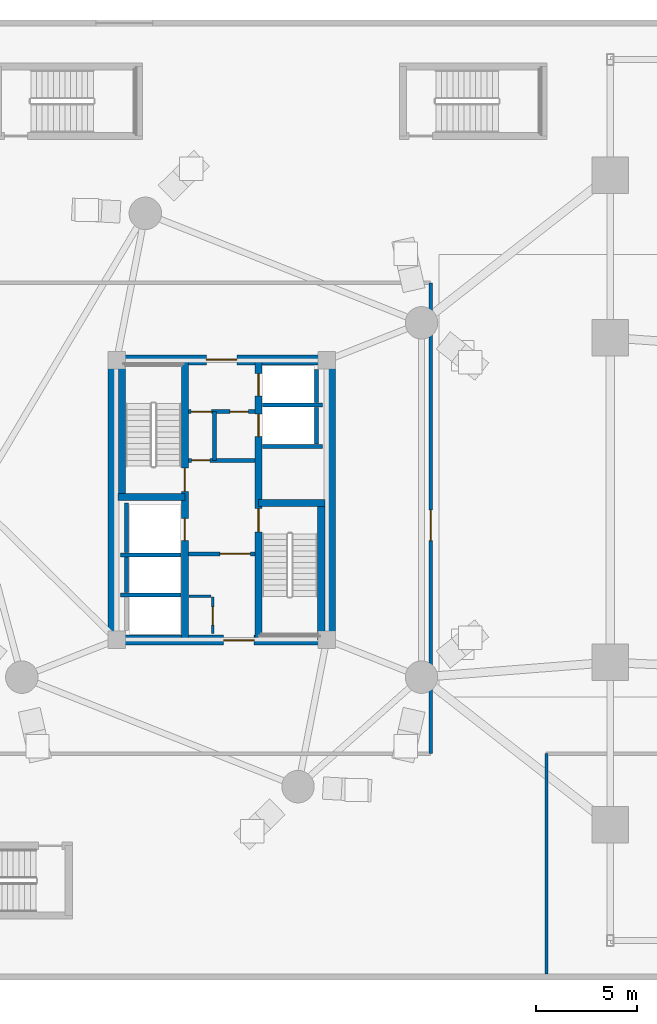
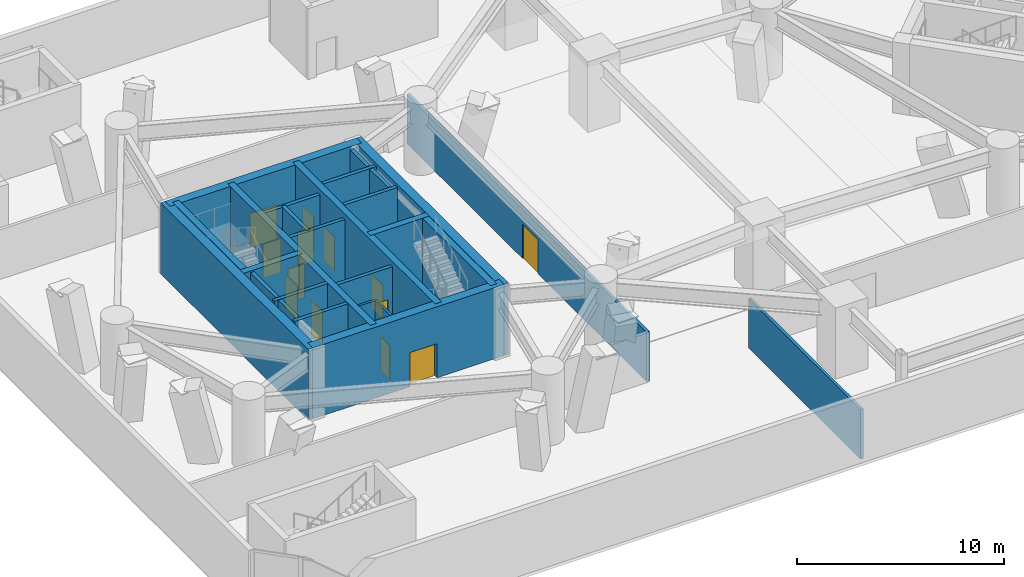
# One storey, part 11 of 20: 26 walls, 13 doors, 13 openings.
"""IFC4 building model written with IfcOpenShell, lengths in metres."""

from ifc_helpers import new_model, si_unit, direction, frame, frame_2d, origin, place, context, subcontext, project, spatial, rectangle, extrude, source, transform, mapped, material, layer, layer_set, type_object, element, fill, save


model = new_model("IFC4")

# Units and contexts
model_context = context("Model", 3, precision=1e-05, world=origin(), true_north=direction((0.0, 1.0)))
body_context = subcontext(model_context, "Body", "Model", "MODEL_VIEW")
ifc_project = project(units=[si_unit("LENGTHUNIT", "METRE"), si_unit("AREAUNIT", "SQUARE_METRE"), si_unit("VOLUMEUNIT", "CUBIC_METRE"), si_unit("PLANEANGLEUNIT", "RADIAN"), si_unit("MASSUNIT", "GRAM", prefix="KILO")], contexts=[model_context])

# Site, building, storey
site_placement = place(None, origin())
site = spatial("IfcSite", under=ifc_project, at=site_placement, CompositionType="ELEMENT")
building_placement = place(site_placement, origin())
building = spatial("IfcBuilding", under=site, at=building_placement, Name="Cununo Teusaquillo Station Towers", CompositionType="ELEMENT")
storey_placement = place(building_placement, frame((0.0, 0.0, 9.0)))
storey = spatial("IfcBuildingStorey", under=building, at=storey_placement, Name="L02", CompositionType="ELEMENT", Elevation=9.0)

# Walls
ifc_material_1 = material(Name="Concrete C50/60", Category="concrete")
ifc_layer_1 = layer(ifc_material_1, 0.199951171875)
ifc_layer_set_1 = layer_set([ifc_layer_1], Name="Concrete C50/60")
wall_type_1 = type_object("IfcWallType", Name="WL-CORE-200", PredefinedType="SHEAR", material=ifc_layer_set_1)
wall_1_placement = place(storey_placement, frame((11.52001953125, 21.800048828125, 0.0), z_axis=(0.0, 0.0, 1.0), x_axis=(1.0, 0.0, 0.0)))
element("IfcWall", 1, at=wall_1_placement, inside=storey, type_object=wall_type_1, Name="L02 Tower A Firefighting Lift Shaft South Shear Wall", PredefinedType="SHEAR", context=body_context, shape_type="SweptSolid", body=[
    extrude(rectangle(XDim=2.969970703125, YDim=0.199951171875, at=frame_2d((1.48486328125, 0.0))), origin(), (0.0, 0.0, 1.0), 4.199951171875),
])
wall_2_placement = place(storey_placement, frame((11.820068359375, 21.919921875, 0.0), z_axis=(0.0, 0.0, 1.0), x_axis=(0.0, 1.0, 0.0)))
element("IfcWall", 2, at=wall_2_placement, inside=storey, type_object=wall_type_1, Name="L02 Tower A Firefighting Lift Shaft Rear Shear Wall", PredefinedType="SHEAR", context=body_context, shape_type="SweptSolid", body=[
    extrude(rectangle(XDim=2.440185546875, YDim=0.199951171875, at=frame_2d((1.22021484375, 0.0))), origin(), (0.0, 0.0, 1.0), 4.199951171875),
])
wall_3_placement = place(storey_placement, frame((11.52001953125, 19.824951171875, 0.0), z_axis=(0.0, 0.0, 1.0), x_axis=(1.0, 0.0, 0.0)))
element("IfcWall", 3, at=wall_3_placement, inside=storey, type_object=wall_type_1, Name="L02 Tower A High-Rise Lift Hoistway Divider Shear Wall", PredefinedType="SHEAR", context=body_context, shape_type="SweptSolid", body=[
    extrude(rectangle(XDim=2.969970703125, YDim=0.199951171875, at=frame_2d((1.48486328125, 0.0))), origin(), (0.0, 0.0, 1.0), 4.199951171875),
])
wall_4_placement = place(storey_placement, frame((11.820068359375, 19.945068359375, 0.0), z_axis=(0.0, 0.0, 1.0), x_axis=(0.0, 1.0, 0.0)))
element("IfcWall", 4, at=wall_4_placement, inside=storey, type_object=wall_type_1, Name="L02 Tower A High-Rise Lift 2 Shaft Rear Shear Wall", PredefinedType="SHEAR", context=body_context, shape_type="SweptSolid", body=[
    extrude(rectangle(XDim=1.73486328125, YDim=0.199951171875, at=frame_2d((0.867431640625, 0.0))), origin(), (0.0, 0.0, 1.0), 4.199951171875),
])
for number, where, z_axis, x_axis, name in (
    (5, (18.510009765625, 27.1298828125, 0.0), (0.0, 0.0, 1.0), (1.0, 0.0, 0.0), "L02 Tower A Low-Rise Lift Hoistway South Shear Wall"),
    (6, (18.510009765625, 29.175048828125, 0.0), (0.0, 0.0, 1.0), (1.0, 0.0, 0.0), "L02 Tower A Low-Rise Lift Hoistway Divider Shear Wall"),
):
    element("IfcWall", number, at=place(storey_placement, frame(where, z_axis=z_axis, x_axis=x_axis)), inside=storey, type_object=wall_type_1, Name=name, PredefinedType="SHEAR", context=body_context, shape_type="SweptSolid", body=[
        extrude(rectangle(XDim=2.969970703125, YDim=0.199951171875, at=frame_2d((1.48486328125, 0.0))), origin(), (0.0, 0.0, 1.0), 4.199951171875),
    ])
wall_5_placement = place(storey_placement, frame((21.179931640625, 27.25, 0.0), z_axis=(0.0, 0.0, 1.0), x_axis=(0.0, 1.0, 0.0)))
element("IfcWall", 7, at=wall_5_placement, inside=storey, type_object=wall_type_1, Name="L02 Tower A Low-Rise Lift 1 Shaft Rear Shear Wall", PredefinedType="SHEAR", context=body_context, shape_type="SweptSolid", body=[
    extrude(rectangle(XDim=1.804931640625, YDim=0.199951171875, at=frame_2d((0.90234375, 0.0))), origin(), (0.0, 0.0, 1.0), 4.199951171875),
])
wall_6_placement = place(storey_placement, frame((21.179931640625, 29.294921875, 0.0), z_axis=(0.0, 0.0, 1.0), x_axis=(0.0, 1.0, 0.0)))
element("IfcWall", 8, at=wall_6_placement, inside=storey, type_object=wall_type_1, Name="L02 Tower A Low-Rise Lift 2 Shaft Rear Shear Wall", PredefinedType="SHEAR", context=body_context, shape_type="SweptSolid", body=[
    extrude(rectangle(XDim=1.635009765625, YDim=0.199951171875, at=frame_2d((0.8173828125, 0.0))), origin(), (0.0, 0.0, 1.0), 4.199951171875),
])

# Wall, openings, doors
ifc_material_2 = material(Name="Concrete C50/60", Category="concrete")
ifc_layer_2 = layer(ifc_material_2, 0.35009765625)
ifc_layer_set_2 = layer_set([ifc_layer_2], Name="Concrete C50/60")
wall_type_2 = type_object("IfcWallType", Name="WL-CORE-350", PredefinedType="SHEAR", material=ifc_layer_set_2)
wall_7_placement = place(storey_placement, frame((14.68505859375, 17.60009765625, 0.0), z_axis=(0.0, 0.0, 1.0), x_axis=(0.0, 1.0, 0.0)))
wall_7 = element("IfcWall", 9, at=wall_7_placement, inside=storey, type_object=wall_type_2, Name="L02 Tower A Core Shear Wall IW", PredefinedType="SHEAR", context=body_context, shape_type="SweptSolid", body=[
    extrude(rectangle(XDim=13.7998046875, YDim=0.35009765625, at=frame_2d((6.89990234375, 0.0))), origin(), (0.0, 0.0, 1.0), 4.199951171875),
])
shared_shape_1 = source(origin(), body_context, "Body", "SweptSolid", [
    extrude(rectangle(XDim=1.10009765625, YDim=2.014892578125, at=frame_2d((0.550048828125, 1.00732421875))), frame((0.0, 0.18505859375, 0.0), z_axis=(0.0, -1.0, 0.0), x_axis=(1.0, 0.0, 0.0)), (0.0, 0.0, 1.0), 0.3701171875),
])
opening_1_placement = place(wall_7_placement, frame((4.89990234375, 0.0, 0.0)))
opening_1 = element("IfcOpeningElement", 10, at=opening_1_placement, cuts=wall_7, Name="Opening LD-01", PredefinedType="OPENING", context=body_context, shape_type="MappedRepresentation", body=[
    mapped(shared_shape_1, transform((0.0, 0.0, 0.0), x_axis=(1.0, 0.0, 0.0), y_axis=(0.0, 1.0, 0.0), z_axis=(0.0, 0.0, 1.0), scale=1.0)),
])
shared_shape_2 = source(origin(), body_context, "Body", "SweptSolid", [
    extrude(rectangle(XDim=1.14990234375, YDim=2.02001953125, at=frame_2d((0.574951171875, 1.010009765625))), frame((0.0, 0.18505859375, 0.0), z_axis=(0.0, -1.0, 0.0), x_axis=(1.0, 0.0, 0.0)), (0.0, 0.0, 1.0), 0.3701171875),
])
opening_2_placement = place(wall_7_placement, frame((7.320068359375, 0.0, 0.0)))
opening_2 = element("IfcOpeningElement", 11, at=opening_2_placement, cuts=wall_7, Name="Opening D-ST1", PredefinedType="OPENING", context=body_context, shape_type="MappedRepresentation", body=[
    mapped(shared_shape_2, transform((0.0, 0.0, 0.0), x_axis=(1.0, 0.0, 0.0), y_axis=(0.0, 1.0, 0.0), z_axis=(0.0, 0.0, 1.0), scale=1.0)),
])
ifc_material_3 = material(Name="Galvanised fire-rated hollow steel door assembly", Category="steel")
door_type_1 = type_object("IfcDoorType", Name="DR-LIFT-1100", OperationType="SLIDING_TO_LEFT", PredefinedType="DOOR", material=ifc_material_3)
shared_shape_3 = source(origin(), body_context, "Body", "SweptSolid", [
    extrude(rectangle(XDim=1.10009765625, YDim=2.014892578125, at=frame_2d((0.550048828125, 1.00732421875))), frame((0.0, 0.02490234375, 0.0), z_axis=(0.0, -1.0, 0.0), x_axis=(1.0, 0.0, 0.0)), (0.0, 0.0, 1.0), 0.050048828125),
])
door_1_placement = place(opening_1_placement, origin())
door_1 = element("IfcDoor", 12, at=door_1_placement, inside=storey, type_object=door_type_1, Name="L02 Lift FL-T1 Sliding Landing Door", OperationType="SLIDING_TO_LEFT", OverallHeight=2.014892578125, OverallWidth=1.10009765625, PredefinedType="DOOR", context=body_context, shape_type="MappedRepresentation", body=[
    mapped(shared_shape_3, transform((0.0, 0.0, 0.0), x_axis=(1.0, 0.0, 0.0), y_axis=(0.0, 1.0, 0.0), z_axis=(0.0, 0.0, 1.0), scale=1.0)),
])
fill(opening_1, door_1)
ifc_material_4 = material(Name="Galvanised fire-rated hollow steel door assembly", Category="steel")
door_type_2 = type_object("IfcDoorType", Name="DR-STAIR-1150", OperationType="NOTDEFINED", PredefinedType="DOOR", material=ifc_material_4)
shared_shape_4 = source(origin(), body_context, "Body", "SweptSolid", [
    extrude(rectangle(XDim=1.14990234375, YDim=2.02001953125, at=frame_2d((0.574951171875, 1.010009765625))), frame((0.0, 0.02490234375, 0.0), z_axis=(0.0, -1.0, 0.0), x_axis=(1.0, 0.0, 0.0)), (0.0, 0.0, 1.0), 0.050048828125),
])
door_2_placement = place(opening_2_placement, origin())
door_2 = element("IfcDoor", 13, at=door_2_placement, inside=storey, type_object=door_type_2, Name="L02 Tower A Exit Stair 1 Fire Door", OperationType="SINGLE_SWING_LEFT", OverallHeight=2.02001953125, OverallWidth=1.14990234375, PredefinedType="DOOR", context=body_context, shape_type="MappedRepresentation", body=[
    mapped(shared_shape_4, transform((0.0, 0.0, 0.0), x_axis=(1.0, 0.0, 0.0), y_axis=(0.0, 1.0, 0.0), z_axis=(0.0, 0.0, 1.0), scale=1.0)),
])
fill(opening_2, door_2)

wall_8_placement = place(storey_placement, frame((18.31494140625, 17.60009765625, 0.0), z_axis=(0.0, 0.0, 1.0), x_axis=(0.0, 1.0, 0.0)))
wall_8 = element("IfcWall", 14, at=wall_8_placement, inside=storey, type_object=wall_type_2, Name="L02 Tower A Core Shear Wall IE", PredefinedType="SHEAR", context=body_context, shape_type="SweptSolid", body=[
    extrude(rectangle(XDim=13.7998046875, YDim=0.35009765625, at=frame_2d((6.89990234375, 0.0))), origin(), (0.0, 0.0, 1.0), 4.199951171875),
])
opening_3_placement = place(wall_8_placement, frame((10.02490234375, 0.0, 0.0)))
opening_3 = element("IfcOpeningElement", 15, at=opening_3_placement, cuts=wall_8, Name="Opening LD-01", PredefinedType="OPENING", context=body_context, shape_type="MappedRepresentation", body=[
    mapped(shared_shape_1, transform((0.0, 0.0, 0.0), x_axis=(1.0, 0.0, 0.0), y_axis=(0.0, 1.0, 0.0), z_axis=(0.0, 0.0, 1.0), scale=1.0)),
])
opening_4_placement = place(wall_8_placement, frame((12.02490234375, 0.0, 0.0)))
opening_4 = element("IfcOpeningElement", 16, at=opening_4_placement, cuts=wall_8, Name="Opening LD-01", PredefinedType="OPENING", context=body_context, shape_type="MappedRepresentation", body=[
    mapped(shared_shape_1, transform((0.0, 0.0, 0.0), x_axis=(1.0, 0.0, 0.0), y_axis=(0.0, 1.0, 0.0), z_axis=(0.0, 0.0, 1.0), scale=1.0)),
])
opening_5_placement = place(wall_8_placement, frame((5.330078125, 0.0, 0.0)))
opening_5 = element("IfcOpeningElement", 17, at=opening_5_placement, cuts=wall_8, Name="Opening D-ST1", PredefinedType="OPENING", context=body_context, shape_type="MappedRepresentation", body=[
    mapped(shared_shape_2, transform((0.0, 0.0, 0.0), x_axis=(1.0, 0.0, 0.0), y_axis=(0.0, 1.0, 0.0), z_axis=(0.0, 0.0, 1.0), scale=1.0)),
])
door_3_placement = place(opening_3_placement, origin())
door_3 = element("IfcDoor", 18, at=door_3_placement, inside=storey, type_object=door_type_1, Name="L02 Lift PL-T1-L1 Sliding Landing Door", OperationType="SLIDING_TO_RIGHT", OverallHeight=2.014892578125, OverallWidth=1.10009765625, PredefinedType="DOOR", context=body_context, shape_type="MappedRepresentation", body=[
    mapped(shared_shape_3, transform((0.0, 0.0, 0.0), x_axis=(1.0, 0.0, 0.0), y_axis=(0.0, 1.0, 0.0), z_axis=(0.0, 0.0, 1.0), scale=1.0)),
])
fill(opening_3, door_3)
door_4_placement = place(opening_4_placement, origin())
door_4 = element("IfcDoor", 19, at=door_4_placement, inside=storey, type_object=door_type_1, Name="L02 Lift PL-T1-L2 Sliding Landing Door", OperationType="SLIDING_TO_LEFT", OverallHeight=2.014892578125, OverallWidth=1.10009765625, PredefinedType="DOOR", context=body_context, shape_type="MappedRepresentation", body=[
    mapped(shared_shape_3, transform((0.0, 0.0, 0.0), x_axis=(1.0, 0.0, 0.0), y_axis=(0.0, 1.0, 0.0), z_axis=(0.0, 0.0, 1.0), scale=1.0)),
])
fill(opening_4, door_4)
door_5_placement = place(opening_5_placement, origin())
door_5 = element("IfcDoor", 20, at=door_5_placement, inside=storey, type_object=door_type_2, Name="L02 Tower A Exit Stair 2 Fire Door", OperationType="SINGLE_SWING_RIGHT", OverallHeight=2.02001953125, OverallWidth=1.14990234375, PredefinedType="DOOR", context=body_context, shape_type="MappedRepresentation", body=[
    mapped(shared_shape_4, transform((0.0, 0.0, 0.0), x_axis=(1.0, 0.0, 0.0), y_axis=(0.0, 1.0, 0.0), z_axis=(0.0, 0.0, 1.0), scale=1.0)),
])
fill(opening_5, door_5)

# Walls
wall_9_placement = place(storey_placement, frame((11.594970703125, 24.655029296875, 0.0), z_axis=(0.0, 0.0, 1.0), x_axis=(0.0, 1.0, 0.0)))
element("IfcWall", 21, at=wall_9_placement, inside=storey, type_object=wall_type_2, Name="L02 Tower A Core Shear Wall ST1W", PredefinedType="SHEAR", context=body_context, shape_type="SweptSolid", body=[
    extrude(rectangle(XDim=6.744873046875, YDim=0.35009765625, at=frame_2d((3.37255859375, 0.0))), origin(), (0.0, 0.0, 1.0), 4.199951171875),
])
wall_10_placement = place(storey_placement, frame((11.39990234375, 24.655029296875, 0.0), z_axis=(0.0, 0.0, 1.0), x_axis=(1.0, 0.0, 0.0)))
element("IfcWall", 22, at=wall_10_placement, inside=storey, type_object=wall_type_2, Name="L02 Tower A Core Shear Wall ST1S", PredefinedType="SHEAR", context=body_context, shape_type="SweptSolid", body=[
    extrude(rectangle(XDim=3.28515625, YDim=0.35009765625, at=frame_2d((1.642578125, 0.0))), origin(), (0.0, 0.0, 1.0), 4.199951171875),
])
wall_11_placement = place(storey_placement, frame((21.405029296875, 17.60009765625, 0.0), z_axis=(0.0, 0.0, 1.0), x_axis=(0.0, 1.0, 0.0)))
element("IfcWall", 23, at=wall_11_placement, inside=storey, type_object=wall_type_2, Name="L02 Tower A Core Shear Wall ST2E", PredefinedType="SHEAR", context=body_context, shape_type="SweptSolid", body=[
    extrude(rectangle(XDim=6.744873046875, YDim=0.35009765625, at=frame_2d((3.37255859375, 0.0))), origin(), (0.0, 0.0, 1.0), 4.199951171875),
])
wall_12_placement = place(storey_placement, frame((18.31494140625, 24.344970703125, 0.0), z_axis=(0.0, 0.0, 1.0), x_axis=(1.0, 0.0, 0.0)))
element("IfcWall", 24, at=wall_12_placement, inside=storey, type_object=wall_type_2, Name="L02 Tower A Core Shear Wall ST2N", PredefinedType="SHEAR", context=body_context, shape_type="SweptSolid", body=[
    extrude(rectangle(XDim=3.28515625, YDim=0.35009765625, at=frame_2d((1.642578125, 0.0))), origin(), (0.0, 0.0, 1.0), 4.199951171875),
])
ifc_material_5 = material(Name="Concrete C60/75", Category="concrete")
ifc_layer_3 = layer(ifc_material_5, 0.5)
ifc_layer_set_3 = layer_set([ifc_layer_3], Name="Concrete C60/75")
wall_type_3 = type_object("IfcWallType", Name="WL-CORE-500", PredefinedType="SHEAR", material=ifc_layer_set_3)
for number, where, z_axis, x_axis, name in (
    (25, (11.14990234375, 17.35009765625, 0.0), (0.0, 0.0, 1.0), (0.0, 1.0, 0.0), "L02 Tower A Core Shear Wall W"),
    (26, (21.85009765625, 17.35009765625, 0.0), (0.0, 0.0, 1.0), (0.0, 1.0, 0.0), "L02 Tower A Core Shear Wall E"),
):
    element("IfcWall", number, at=place(storey_placement, frame(where, z_axis=z_axis, x_axis=x_axis)), inside=storey, type_object=wall_type_3, Name=name, PredefinedType="SHEAR", context=body_context, shape_type="SweptSolid", body=[
        extrude(rectangle(XDim=14.2998046875, YDim=0.5, at=frame_2d((7.14990234375, 0.0))), origin(), (0.0, 0.0, 1.0), 4.199951171875),
    ])

# Wall, opening, door
wall_13_placement = place(storey_placement, frame((11.14990234375, 17.60009765625, 0.0), z_axis=(0.0, 0.0, 1.0), x_axis=(1.0, 0.0, 0.0)))
wall_13 = element("IfcWall", 27, at=wall_13_placement, inside=storey, type_object=wall_type_3, Name="L02 Tower A Core Shear Wall S", PredefinedType="SHEAR", context=body_context, shape_type="SweptSolid", body=[
    extrude(rectangle(XDim=10.7001953125, YDim=0.5, at=frame_2d((5.35009765625, 0.0))), origin(), (0.0, 0.0, 1.0), 4.199951171875),
])
shared_shape_5 = source(origin(), body_context, "Body", "SweptSolid", [
    extrude(rectangle(XDim=1.5, YDim=2.02001953125, at=frame_2d((0.75, 1.010009765625))), frame((0.0, 0.260009765625, 0.0), z_axis=(0.0, -1.0, 0.0), x_axis=(1.0, 0.0, 0.0)), (0.0, 0.0, 1.0), 0.52001953125),
])
opening_6_placement = place(wall_13_placement, frame((5.449951171875, 0.0, 0.0)))
opening_6 = element("IfcOpeningElement", 28, at=opening_6_placement, cuts=wall_13, Name="Opening D-LB1", PredefinedType="OPENING", context=body_context, shape_type="MappedRepresentation", body=[
    mapped(shared_shape_5, transform((0.0, 0.0, 0.0), x_axis=(1.0, 0.0, 0.0), y_axis=(0.0, 1.0, 0.0), z_axis=(0.0, 0.0, 1.0), scale=1.0)),
])
ifc_material_6 = material(Name="Galvanised fire-rated hollow steel door assembly", Category="steel")
door_type_3 = type_object("IfcDoorType", Name="DR-LOBBY-1500", OperationType="DOUBLE_DOOR_SINGLE_SWING", PredefinedType="DOOR", material=ifc_material_6)
shared_shape_6 = source(origin(), body_context, "Body", "SweptSolid", [
    extrude(rectangle(XDim=1.5, YDim=2.02001953125, at=frame_2d((0.75, 1.010009765625))), frame((0.0, 0.02490234375, 0.0), z_axis=(0.0, -1.0, 0.0), x_axis=(1.0, 0.0, 0.0)), (0.0, 0.0, 1.0), 0.050048828125),
])
door_6_placement = place(opening_6_placement, origin())
door_6 = element("IfcDoor", 29, at=door_6_placement, inside=storey, type_object=door_type_3, Name="L02 Tower A South Core Lift Lobby Door", OperationType="DOUBLE_DOOR_SINGLE_SWING", OverallHeight=2.02001953125, OverallWidth=1.5, PredefinedType="DOOR", context=body_context, shape_type="MappedRepresentation", body=[
    mapped(shared_shape_6, transform((0.0, 0.0, 0.0), x_axis=(1.0, 0.0, 0.0), y_axis=(0.0, 1.0, 0.0), z_axis=(0.0, 0.0, 1.0), scale=1.0)),
])
fill(opening_6, door_6)

wall_14_placement = place(storey_placement, frame((11.14990234375, 31.39990234375, 0.0), z_axis=(0.0, 0.0, 1.0), x_axis=(1.0, 0.0, 0.0)))
wall_14 = element("IfcWall", 30, at=wall_14_placement, inside=storey, type_object=wall_type_3, Name="L02 Tower A Core Shear Wall N", PredefinedType="SHEAR", context=body_context, shape_type="SweptSolid", body=[
    extrude(rectangle(XDim=10.7001953125, YDim=0.5, at=frame_2d((5.35009765625, 0.0))), origin(), (0.0, 0.0, 1.0), 4.199951171875),
])
opening_7_placement = place(wall_14_placement, frame((4.60009765625, 0.0, 0.0)))
opening_7 = element("IfcOpeningElement", 31, at=opening_7_placement, cuts=wall_14, Name="Opening D-LB1", PredefinedType="OPENING", context=body_context, shape_type="MappedRepresentation", body=[
    mapped(shared_shape_5, transform((0.0, 0.0, 0.0), x_axis=(1.0, 0.0, 0.0), y_axis=(0.0, 1.0, 0.0), z_axis=(0.0, 0.0, 1.0), scale=1.0)),
])
door_7_placement = place(opening_7_placement, origin())
door_7 = element("IfcDoor", 32, at=door_7_placement, inside=storey, type_object=door_type_3, Name="L02 Tower A North Core Lift Lobby Door", OperationType="DOUBLE_DOOR_SINGLE_SWING", OverallHeight=2.02001953125, OverallWidth=1.5, PredefinedType="DOOR", context=body_context, shape_type="MappedRepresentation", body=[
    mapped(shared_shape_6, transform((0.0, 0.0, 0.0), x_axis=(1.0, 0.0, 0.0), y_axis=(0.0, 1.0, 0.0), z_axis=(0.0, 0.0, 1.0), scale=1.0)),
])
fill(opening_7, door_7)

ifc_material_7 = material(Name="Fire-rated gypsum plasterboard partition assembly", Category="gypsum")
ifc_layer_4 = layer(ifc_material_7, 0.125)
ifc_layer_set_4 = layer_set([ifc_layer_4], Name="Fire-rated gypsum plasterboard partition assembly")
wall_type_4 = type_object("IfcWallType", Name="WL-PART-125", PredefinedType="PARTITIONING", material=ifc_layer_set_4)
wall_15_placement = place(storey_placement, frame((16.050048828125, 17.919921875, 0.0), z_axis=(0.0, 0.0, 1.0), x_axis=(0.0, 1.0, 0.0)))
wall_15 = element("IfcWall", 33, at=wall_15_placement, inside=storey, type_object=wall_type_4, Name="L02 Tower A South-West Compact Store East Wall", PredefinedType="PARTITIONING", context=body_context, shape_type="SweptSolid", body=[
    extrude(rectangle(XDim=1.800048828125, YDim=0.125, at=frame_2d((0.89990234375, 0.0))), origin(), (0.0, 0.0, 1.0), 3.885009765625),
])
shared_shape_7 = source(origin(), body_context, "Body", "SweptSolid", [
    extrude(rectangle(XDim=0.89990234375, YDim=2.0048828125, at=frame_2d((0.449951171875, 1.00244140625))), frame((0.0, 0.072509765625, 0.0), z_axis=(0.0, -1.0, 0.0), x_axis=(1.0, 0.0, 0.0)), (0.0, 0.0, 1.0), 0.14501953125),
])
opening_8_placement = place(wall_15_placement, frame((0.419921875, 0.0, 0.0)))
opening_8 = element("IfcOpeningElement", 34, at=opening_8_placement, cuts=wall_15, Name="Opening D-SR1", PredefinedType="OPENING", context=body_context, shape_type="MappedRepresentation", body=[
    mapped(shared_shape_7, transform((0.0, 0.0, 0.0), x_axis=(1.0, 0.0, 0.0), y_axis=(0.0, 1.0, 0.0), z_axis=(0.0, 0.0, 1.0), scale=1.0)),
])
ifc_material_8 = material(Name="Galvanised fire-rated hollow steel door assembly", Category="steel")
door_type_4 = type_object("IfcDoorType", Name="DR-STORE-900", OperationType="NOTDEFINED", PredefinedType="DOOR", material=ifc_material_8)
shared_shape_8 = source(origin(), body_context, "Body", "SweptSolid", [
    extrude(rectangle(XDim=0.89990234375, YDim=2.0048828125, at=frame_2d((0.449951171875, 1.00244140625))), frame((0.0, 0.02490234375, 0.0), z_axis=(0.0, -1.0, 0.0), x_axis=(1.0, 0.0, 0.0)), (0.0, 0.0, 1.0), 0.050048828125),
])
door_8_placement = place(opening_8_placement, origin())
door_8 = element("IfcDoor", 35, at=door_8_placement, inside=storey, type_object=door_type_4, Name="L02 Tower A Core Electrical & Comms Store Door", OperationType="SINGLE_SWING_LEFT", OverallHeight=2.0048828125, OverallWidth=0.89990234375, PredefinedType="DOOR", context=body_context, shape_type="MappedRepresentation", body=[
    mapped(shared_shape_8, transform((0.0, 0.0, 0.0), x_axis=(1.0, 0.0, 0.0), y_axis=(0.0, 1.0, 0.0), z_axis=(0.0, 0.0, 1.0), scale=1.0)),
])
fill(opening_8, door_8)

# Wall
wall_16_placement = place(storey_placement, frame((14.8798828125, 19.75, 0.0), z_axis=(0.0, 0.0, 1.0), x_axis=(1.0, 0.0, 0.0)))
element("IfcWall", 36, at=wall_16_placement, inside=storey, type_object=wall_type_4, Name="L02 Tower A South-West Compact Store North Wall", PredefinedType="PARTITIONING", context=body_context, shape_type="SweptSolid", body=[
    extrude(rectangle(XDim=1.10009765625, YDim=0.125, at=frame_2d((0.550048828125, 0.0))), origin(), (0.0, 0.0, 1.0), 3.885009765625),
])

# Wall, opening, door
ifc_material_9 = material(Name="Fire-rated gypsum plasterboard partition assembly", Category="gypsum")
ifc_layer_5 = layer(ifc_material_9, 0.159912109375)
ifc_layer_set_5 = layer_set([ifc_layer_5], Name="Fire-rated gypsum plasterboard partition assembly")
wall_type_5 = type_object("IfcWallType", Name="WL-PART-160", PredefinedType="PARTITIONING", material=ifc_layer_set_5)
wall_17_placement = place(storey_placement, frame((26.800048828125, 12.0, 0.0), z_axis=(0.0, 0.0, 1.0), x_axis=(0.0, 1.0, 0.0)))
wall_17 = element("IfcWall", 37, at=wall_17_placement, inside=storey, type_object=wall_type_5, Name="L02 Station Gallery West Concourse Wall", PredefinedType="PARTITIONING", context=body_context, shape_type="SweptSolid", body=[
    extrude(rectangle(XDim=23.199951171875, YDim=0.159912109375, at=frame_2d((11.60009765625, 0.0))), origin(), (0.0, 0.0, 1.0), 2.924072265625),
])
shared_shape_9 = source(origin(), body_context, "Body", "SweptSolid", [
    extrude(rectangle(XDim=1.5, YDim=2.02001953125, at=frame_2d((0.75, 1.010009765625))), frame((0.0, 0.08984375, 0.0), z_axis=(0.0, -1.0, 0.0), x_axis=(1.0, 0.0, 0.0)), (0.0, 0.0, 1.0), 0.179931640625),
])
opening_9_placement = place(wall_17_placement, frame((10.5, 0.0, 0.0)))
opening_9 = element("IfcOpeningElement", 38, at=opening_9_placement, cuts=wall_17, Name="Opening D-LB1", PredefinedType="OPENING", context=body_context, shape_type="MappedRepresentation", body=[
    mapped(shared_shape_9, transform((0.0, 0.0, 0.0), x_axis=(1.0, 0.0, 0.0), y_axis=(0.0, 1.0, 0.0), z_axis=(0.0, 0.0, 1.0), scale=1.0)),
])
door_9_placement = place(opening_9_placement, origin())
door_9 = element("IfcDoor", 39, at=door_9_placement, inside=storey, type_object=door_type_3, Name="L02 West Gallery Wing Door", OperationType="DOUBLE_DOOR_SINGLE_SWING", OverallHeight=2.02001953125, OverallWidth=1.5, PredefinedType="DOOR", context=body_context, shape_type="MappedRepresentation", body=[
    mapped(shared_shape_6, transform((0.0, 0.0, 0.0), x_axis=(1.0, 0.0, 0.0), y_axis=(0.0, 1.0, 0.0), z_axis=(0.0, 0.0, 1.0), scale=1.0)),
])
fill(opening_9, door_9)

# Wall
wall_18_placement = place(storey_placement, frame((32.5, 1.14990234375, 0.0), z_axis=(0.0, 0.0, 1.0), x_axis=(0.0, 1.0, 0.0)))
element("IfcWall", 40, at=wall_18_placement, inside=storey, type_object=wall_type_5, Name="L02 South Wing West Wall", PredefinedType="PARTITIONING", context=body_context, shape_type="SweptSolid", body=[
    extrude(rectangle(XDim=10.85009765625, YDim=0.159912109375, at=frame_2d((5.425048828125, 0.0))), origin(), (0.0, 0.0, 1.0), 2.924072265625),
])

# Wall, opening, door
ifc_material_10 = material(Name="Fire-rated gypsum plasterboard partition assembly", Category="gypsum")
ifc_layer_6 = layer(ifc_material_10, 0.199951171875)
ifc_layer_set_6 = layer_set([ifc_layer_6], Name="Fire-rated gypsum plasterboard partition assembly")
wall_type_6 = type_object("IfcWallType", Name="WL-PART-200", PredefinedType="PARTITIONING", material=ifc_layer_set_6)
wall_19_placement = place(storey_placement, frame((14.860107421875, 21.85009765625, 0.0), z_axis=(0.0, 0.0, 1.0), x_axis=(1.0, 0.0, 0.0)))
wall_19 = element("IfcWall", 41, at=wall_19_placement, inside=storey, type_object=wall_type_6, Name="L02 Tower A Firefighting Lift Lobby South Fire Wall", PredefinedType="PARTITIONING", context=body_context, shape_type="SweptSolid", body=[
    extrude(rectangle(XDim=3.27978515625, YDim=0.199951171875, at=frame_2d((1.639892578125, 0.0))), origin(), (0.0, 0.0, 1.0), 3.885009765625),
])
shared_shape_10 = source(origin(), body_context, "Body", "SweptSolid", [
    extrude(rectangle(XDim=1.5, YDim=2.02001953125, at=frame_2d((0.75, 1.010009765625))), frame((0.0, 0.10986328125, 0.0), z_axis=(0.0, -1.0, 0.0), x_axis=(1.0, 0.0, 0.0)), (0.0, 0.0, 1.0), 0.219970703125),
])
opening_10_placement = place(wall_19_placement, frame((1.550048828125, 0.0, 0.0)))
opening_10 = element("IfcOpeningElement", 42, at=opening_10_placement, cuts=wall_19, Name="Opening D-LB1", PredefinedType="OPENING", context=body_context, shape_type="MappedRepresentation", body=[
    mapped(shared_shape_10, transform((0.0, 0.0, 0.0), x_axis=(1.0, 0.0, 0.0), y_axis=(0.0, 1.0, 0.0), z_axis=(0.0, 0.0, 1.0), scale=1.0)),
])
door_10_placement = place(opening_10_placement, origin())
door_10 = element("IfcDoor", 43, at=door_10_placement, inside=storey, type_object=door_type_3, Name="L02 Tower A Firefighting Lift Lobby South Fire Door", OperationType="DOUBLE_DOOR_SINGLE_SWING", OverallHeight=2.02001953125, OverallWidth=1.5, PredefinedType="DOOR", context=body_context, shape_type="MappedRepresentation", body=[
    mapped(shared_shape_6, transform((0.0, 0.0, 0.0), x_axis=(1.0, 0.0, 0.0), y_axis=(0.0, 1.0, 0.0), z_axis=(0.0, 0.0, 1.0), scale=1.0)),
])
fill(opening_10, door_10)

wall_20_placement = place(storey_placement, frame((14.860107421875, 26.449951171875, 0.0), z_axis=(0.0, 0.0, 1.0), x_axis=(1.0, 0.0, 0.0)))
wall_20 = element("IfcWall", 44, at=wall_20_placement, inside=storey, type_object=wall_type_6, Name="L02 Tower A Firefighting Lift Lobby North Fire Wall", PredefinedType="PARTITIONING", context=body_context, shape_type="SweptSolid", body=[
    extrude(rectangle(XDim=3.27978515625, YDim=0.199951171875, at=frame_2d((1.639892578125, 0.0))), origin(), (0.0, 0.0, 1.0), 3.885009765625),
])
shared_shape_11 = source(origin(), body_context, "Body", "SweptSolid", [
    extrude(rectangle(XDim=0.89990234375, YDim=2.0048828125, at=frame_2d((0.449951171875, 1.00244140625))), frame((0.0, 0.10986328125, 0.0), z_axis=(0.0, -1.0, 0.0), x_axis=(1.0, 0.0, 0.0)), (0.0, 0.0, 1.0), 0.219970703125),
])
opening_11_placement = place(wall_20_placement, frame((0.159912109375, 0.0, 0.0)))
opening_11 = element("IfcOpeningElement", 45, at=opening_11_placement, cuts=wall_20, Name="Opening D-SR1", PredefinedType="OPENING", context=body_context, shape_type="MappedRepresentation", body=[
    mapped(shared_shape_11, transform((0.0, 0.0, 0.0), x_axis=(1.0, 0.0, 0.0), y_axis=(0.0, 1.0, 0.0), z_axis=(0.0, 0.0, 1.0), scale=1.0)),
])
door_11_placement = place(opening_11_placement, origin())
door_11 = element("IfcDoor", 46, at=door_11_placement, inside=storey, type_object=door_type_4, Name="L02 Tower A Stair 1 Protected Vestibule South Door", OperationType="SINGLE_SWING_LEFT", OverallHeight=2.0048828125, OverallWidth=0.89990234375, PredefinedType="DOOR", context=body_context, shape_type="MappedRepresentation", body=[
    mapped(shared_shape_8, transform((0.0, 0.0, 0.0), x_axis=(1.0, 0.0, 0.0), y_axis=(0.0, 1.0, 0.0), z_axis=(0.0, 0.0, 1.0), scale=1.0)),
])
fill(opening_11, door_11)

# Wall
wall_21_placement = place(storey_placement, frame((16.14990234375, 26.449951171875, 0.0), z_axis=(0.0, 0.0, 1.0), x_axis=(0.0, 1.0, 0.0)))
element("IfcWall", 47, at=wall_21_placement, inside=storey, type_object=wall_type_6, Name="L02 Tower A Stair 1 Vestibule Partition Wall", PredefinedType="PARTITIONING", context=body_context, shape_type="SweptSolid", body=[
    extrude(rectangle(XDim=2.400146484375, YDim=0.199951171875, at=frame_2d((1.2001953125, 0.0))), origin(), (0.0, 0.0, 1.0), 3.885009765625),
])

# Wall, openings, doors
wall_22_placement = place(storey_placement, frame((14.860107421875, 28.85009765625, 0.0), z_axis=(0.0, 0.0, 1.0), x_axis=(1.0, 0.0, 0.0)))
wall_22 = element("IfcWall", 48, at=wall_22_placement, inside=storey, type_object=wall_type_6, Name="L02 Tower A North Lift Lobby South Fire Wall", PredefinedType="PARTITIONING", context=body_context, shape_type="SweptSolid", body=[
    extrude(rectangle(XDim=3.27978515625, YDim=0.199951171875, at=frame_2d((1.639892578125, 0.0))), origin(), (0.0, 0.0, 1.0), 3.885009765625),
])
shared_shape_12 = source(origin(), body_context, "Body", "SweptSolid", [
    extrude(rectangle(XDim=1.0, YDim=2.014892578125, at=frame_2d((0.5, 1.00732421875))), frame((0.0, 0.10986328125, 0.0), z_axis=(0.0, -1.0, 0.0), x_axis=(1.0, 0.0, 0.0)), (0.0, 0.0, 1.0), 0.219970703125),
])
opening_12_placement = place(wall_22_placement, frame((0.139892578125, 0.0, 0.0)))
opening_12 = element("IfcOpeningElement", 49, at=opening_12_placement, cuts=wall_22, Name="Opening D-AC1", PredefinedType="OPENING", context=body_context, shape_type="MappedRepresentation", body=[
    mapped(shared_shape_12, transform((0.0, 0.0, 0.0), x_axis=(1.0, 0.0, 0.0), y_axis=(0.0, 1.0, 0.0), z_axis=(0.0, 0.0, 1.0), scale=1.0)),
])
opening_13_placement = place(wall_22_placement, frame((2.050048828125, 0.0, 0.0)))
opening_13 = element("IfcOpeningElement", 50, at=opening_13_placement, cuts=wall_22, Name="Opening D-SR1", PredefinedType="OPENING", context=body_context, shape_type="MappedRepresentation", body=[
    mapped(shared_shape_11, transform((0.0, 0.0, 0.0), x_axis=(1.0, 0.0, 0.0), y_axis=(0.0, 1.0, 0.0), z_axis=(0.0, 0.0, 1.0), scale=1.0)),
])
door_12_placement = place(opening_13_placement, origin())
door_12 = element("IfcDoor", 51, at=door_12_placement, inside=storey, type_object=door_type_4, Name="L02 Tower A Core Housekeeping & Linen Store Door", OperationType="SINGLE_SWING_RIGHT", OverallHeight=2.0048828125, OverallWidth=0.89990234375, PredefinedType="DOOR", context=body_context, shape_type="MappedRepresentation", body=[
    mapped(shared_shape_8, transform((0.0, 0.0, 0.0), x_axis=(1.0, 0.0, 0.0), y_axis=(0.0, 1.0, 0.0), z_axis=(0.0, 0.0, 1.0), scale=1.0)),
])
fill(opening_13, door_12)
ifc_material_11 = material(Name="Acoustic solid-core hardwood leaf assembly", Category="wood")
door_type_5 = type_object("IfcDoorType", Name="DR-ACC-1000", OperationType="NOTDEFINED", PredefinedType="DOOR", material=ifc_material_11)
shared_shape_13 = source(origin(), body_context, "Body", "SweptSolid", [
    extrude(rectangle(XDim=1.0, YDim=2.014892578125, at=frame_2d((0.5, 1.00732421875))), frame((0.0, 0.02490234375, 0.0), z_axis=(0.0, -1.0, 0.0), x_axis=(1.0, 0.0, 0.0)), (0.0, 0.0, 1.0), 0.050048828125),
])
door_13_placement = place(opening_12_placement, origin())
door_13 = element("IfcDoor", 52, at=door_13_placement, inside=storey, type_object=door_type_5, Name="L02 Tower A North Lift Lobby to Stair 1 Vestibule Door", OperationType="SINGLE_SWING_RIGHT", OverallHeight=2.014892578125, OverallWidth=1.0, PredefinedType="DOOR", context=body_context, shape_type="MappedRepresentation", body=[
    mapped(shared_shape_13, transform((0.0, 0.0, 0.0), x_axis=(1.0, 0.0, 0.0), y_axis=(0.0, 1.0, 0.0), z_axis=(0.0, 0.0, 1.0), scale=1.0)),
])
fill(opening_12, door_13)

save(model, "model.ifc")
